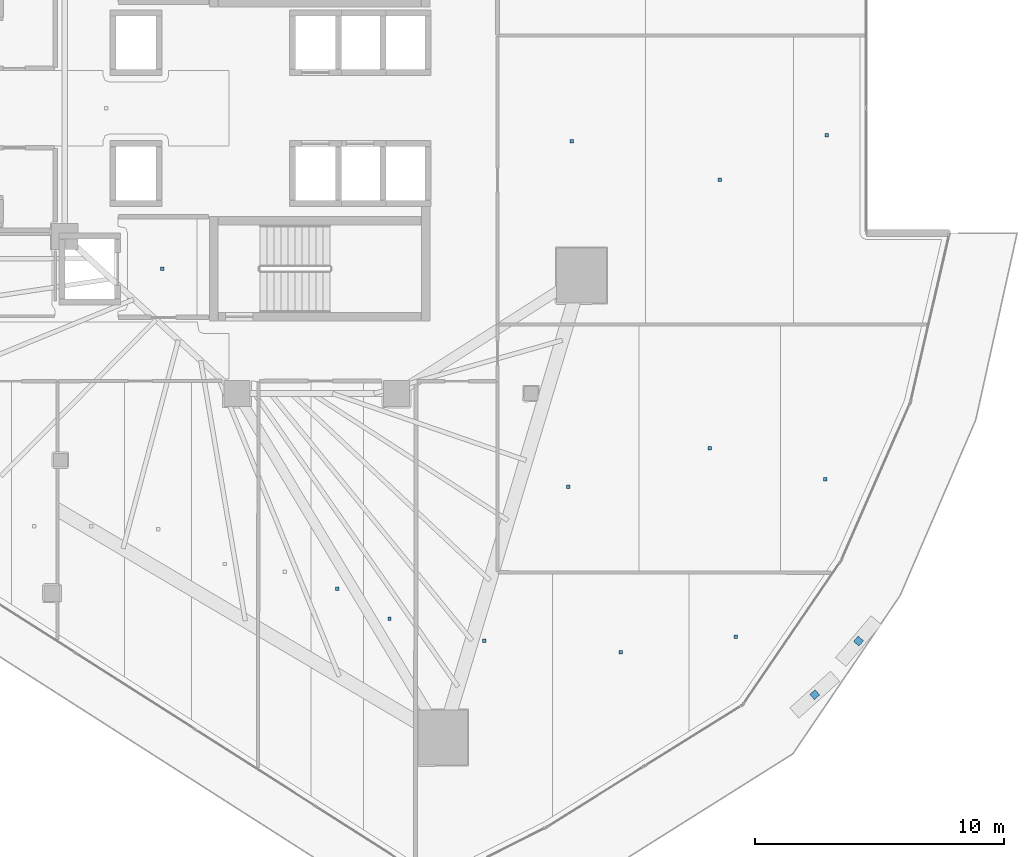
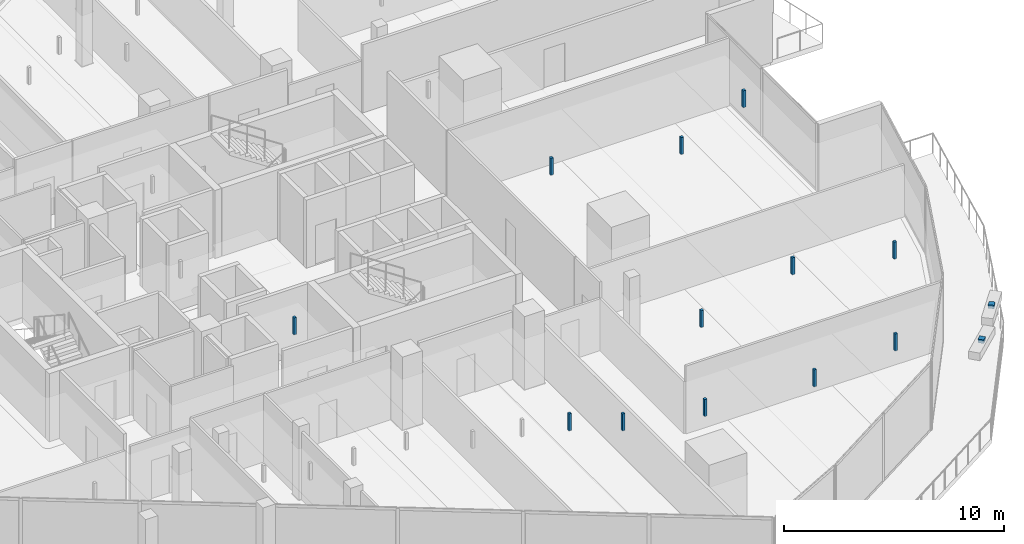
# One storey, part 34 of 45: 14 discrete accessories.
"""IFC4 building model written with IfcOpenShell, lengths in metres."""

from ifc_helpers import new_model, si_unit, direction, frame, origin, origin_2d, place, context, subcontext, project, spatial, rectangle, extrude, material, type_object, element, save


model = new_model("IFC4")

# Units and contexts
model_context = context("Model", 3, precision=1e-05, world=origin(), true_north=direction((0.0, 1.0)))
body_context = subcontext(model_context, "Body", "Model", "MODEL_VIEW")
ifc_project = project(units=[si_unit("LENGTHUNIT", "METRE"), si_unit("AREAUNIT", "SQUARE_METRE"), si_unit("VOLUMEUNIT", "CUBIC_METRE"), si_unit("PLANEANGLEUNIT", "RADIAN"), si_unit("MASSUNIT", "GRAM", prefix="KILO")], contexts=[model_context])

# Site, building, storey
site_placement = place(None, origin())
site = spatial("IfcSite", under=ifc_project, at=site_placement, CompositionType="ELEMENT")
building_placement = place(site_placement, origin())
building = spatial("IfcBuilding", under=site, at=building_placement, Name="Qorvath Tower", CompositionType="ELEMENT")
storey_placement = place(building_placement, frame((0.0, 0.0, 109.800048828125)))
storey = spatial("IfcBuildingStorey", under=building, at=storey_placement, Name="L24", CompositionType="ELEMENT", Elevation=109.800048828125)

# Discrete accessories
ifc_material = material(Name="Galvanised steel bracket", Category="steel")
discrete_accessory_type = type_object("IfcDiscreteAccessoryType", Name="DA-BRACKET", PredefinedType="BRACKET", material=ifc_material)
for number, where, z_axis, x_axis, name in (
    (1, (-0.4208984375, -23.52880859375, 3.6298828125), (0.0, 0.0, 1.0), (0.742134955738, 0.670250481143, 0.0), "Louvre Wave Support Bracket L24-03"),
    (2, (1.33447265625, -21.381103515625, 3.6298828125), (0.0, 0.0, 1.0), (0.646514198085, 0.762901954169, 0.0), "Louvre Wave Support Bracket L24-04"),
):
    element("IfcDiscreteAccessory", number, at=place(storey_placement, frame(where, z_axis=z_axis, x_axis=x_axis)), inside=storey, type_object=discrete_accessory_type, Name=name, PredefinedType="NOTDEFINED", context=body_context, shape_type="SweptSolid", body=[
        extrude(rectangle(XDim=0.280029296875, YDim=0.280029296875, at=origin_2d()), origin(), (0.0, 0.0, 1.0), 0.199951171875),
    ])
for number, where, z_axis, x_axis, name in (
    (3, (-26.590087890625, -6.449951171875, 2.85986328125), (0.0, 0.0, 1.0), (1.0, 0.0, 0.0), "Acoustic Ceiling Suspension Hanger T1-L24-002"),
    (4, (-19.5791015625, -19.27392578125, 2.85986328125), (0.0, 0.0, 1.0), (1.0, 0.0, 0.0), "Acoustic Ceiling Suspension Hanger T1-L24-028"),
    (5, (-17.4775390625, -20.490234375, 2.85986328125), (0.0, 0.0, 1.0), (1.0, 0.0, 0.0), "Acoustic Ceiling Suspension Hanger T1-L24-029"),
    (6, (-13.67626953125, -21.365478515625, 2.85986328125), (0.0, 0.0, 1.0), (1.0, 0.0, 0.0), "Acoustic Ceiling Suspension Hanger T1-L24-030"),
    (7, (-8.201904296875, -21.818115234375, 2.85986328125), (0.0, 0.0, 1.0), (1.0, 0.0, 0.0), "Acoustic Ceiling Suspension Hanger T1-L24-031"),
    (8, (-3.595703125, -21.201171875, 2.85986328125), (0.0, 0.0, 1.0), (1.0, 0.0, 0.0), "Acoustic Ceiling Suspension Hanger T1-L24-032"),
    (9, (-10.301025390625, -15.1962890625, 2.85986328125), (0.0, 0.0, 1.0), (1.0, 0.0, 0.0), "Acoustic Ceiling Suspension Hanger T1-L24-033"),
    (10, (-4.62890625, -13.648681640625, 2.85986328125), (0.0, 0.0, 1.0), (1.0, 0.0, 0.0), "Acoustic Ceiling Suspension Hanger T1-L24-034"),
    (11, (-0.00244140625, -14.887939453125, 2.85986328125), (0.0, 0.0, 1.0), (1.0, 0.0, 0.0), "Acoustic Ceiling Suspension Hanger T1-L24-035"),
    (12, (-10.16943359375, -1.34033203125, 2.85986328125), (0.0, 0.0, 1.0), (1.0, 0.0, 0.0), "Acoustic Ceiling Suspension Hanger T1-L24-036"),
    (13, (-4.234130859375, -2.8828125, 2.85986328125), (0.0, 0.0, 1.0), (1.0, 0.0, 0.0), "Acoustic Ceiling Suspension Hanger T1-L24-037"),
    (14, (0.06494140625, -1.080810546875, 2.85986328125), (0.0, 0.0, 1.0), (1.0, 0.0, 0.0), "Acoustic Ceiling Suspension Hanger T1-L24-038"),
):
    element("IfcDiscreteAccessory", number, at=place(storey_placement, frame(where, z_axis=z_axis, x_axis=x_axis)), inside=storey, type_object=discrete_accessory_type, Name=name, PredefinedType="NOTDEFINED", context=body_context, shape_type="SweptSolid", body=[
        extrude(rectangle(XDim=0.139892578125, YDim=0.139892578125, at=origin_2d()), origin(), (0.0, 0.0, 1.0), 0.940185546875),
    ])

save(model, "model.ifc")
